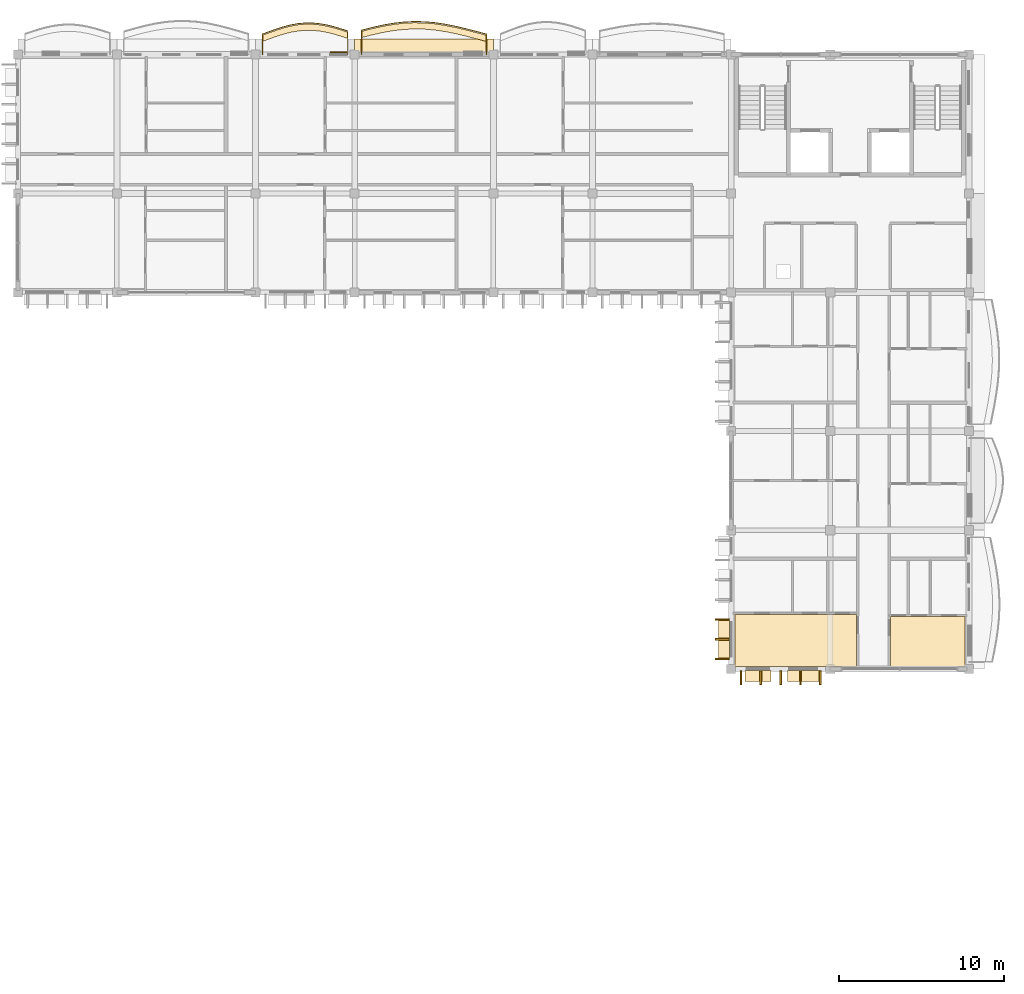
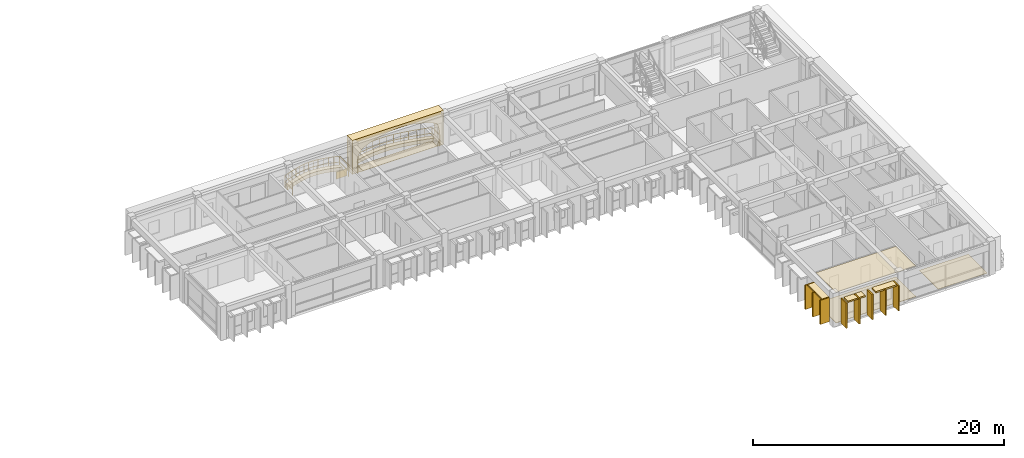
# One storey, part 27 of 31: 18 coverings, 2 railings.
"""IFC4 building model written with IfcOpenShell, lengths in metres."""

import ifcopenshell
import ifcopenshell.guid

model = None  # the IFC model being written
_history = None  # IfcOwnerHistory: only IFC2X3 demands one
_inside = {}  # id of a spatial element -> (the spatial element, [elements in it])
_under = {}  # id of a project, library or spatial element -> (it, [spatial elements below it])
_declared = {}  # id of a project -> (the project, [libraries it declares])
_typed = {}  # id of a type object -> (the type object, [elements of that type])
_made_of = {}  # id of a material, layer set ... -> (it, [elements and type objects made of it])


def new_model(schema):
    """Start an empty IFC model of exactly this schema.

    Asked for "IFC4X3", IfcOpenShell would pick the latest addendum, in which some entities
    have other attributes; the version numbers below select the first issue.
    IFC2X3 requires an IfcOwnerHistory on every rooted entity: one is made here for all.
    """
    global model, _history
    if schema == "IFC4X3":
        model = ifcopenshell.file(schema_version=(4, 3, 0, 0))
    else:
        model = ifcopenshell.file(schema=schema)
    _inside.clear()
    _under.clear()
    _declared.clear()
    _typed.clear()
    _made_of.clear()
    _history = None
    if model.schema == "IFC2X3":
        org = make("IfcOrganization", Name="unknown")
        user = make(
            "IfcPersonAndOrganization",
            ThePerson=make("IfcPerson", FamilyName="unknown"),
            TheOrganization=org,
        )
        app = make(
            "IfcApplication",
            ApplicationDeveloper=org,
            Version="unknown",
            ApplicationFullName="unknown",
            ApplicationIdentifier="unknown",
        )
        _history = make(
            "IfcOwnerHistory",
            OwningUser=user,
            OwningApplication=app,
            ChangeAction="ADDED",
            CreationDate=0,
        )
    return model


def make(cls, **values):
    """One entity of the class cls with the attributes given. An attribute that is None is left unset."""
    return model.create_entity(
        cls, **{name: value for name, value in values.items() if value is not None}
    )


def rooted(cls, **values):
    """An entity with a GlobalId (a new one), such as an element, a storey or a relation."""
    return make(cls, GlobalId=ifcopenshell.guid.new(), OwnerHistory=_history, **values)


def si_unit(unit_type, name, prefix=None):
    """IfcSIUnit, for example si_unit("LENGTHUNIT", "METRE", prefix="MILLI")."""
    return make("IfcSIUnit", UnitType=unit_type, Prefix=prefix, Name=name)


def assignment(units):
    """IfcUnitAssignment: the units of a project."""
    return None if units is None else make("IfcUnitAssignment", Units=units)


def point(xyz):
    """IfcCartesianPoint."""
    return None if xyz is None else make("IfcCartesianPoint", Coordinates=xyz)


def direction(xyz):
    """IfcDirection."""
    return None if xyz is None else make("IfcDirection", DirectionRatios=xyz)


def frame(location, z_axis=None, x_axis=None):
    """IfcAxis2Placement3D, a coordinate frame: its origin and axes. An axis left out is left unset."""
    return make(
        "IfcAxis2Placement3D",
        Location=point(location),
        Axis=direction(z_axis),
        RefDirection=direction(x_axis),
    )


def frame_2d(location, x_axis=None):
    """IfcAxis2Placement2D, a coordinate frame in the plane: its origin and x axis."""
    return make(
        "IfcAxis2Placement2D", Location=point(location), RefDirection=direction(x_axis)
    )


def origin():
    """The frame at (0, 0, 0) with its axes left unset."""
    return frame((0.0, 0.0, 0.0))


def origin_2d():
    """The frame at (0, 0) in the plane with its x axis left unset."""
    return frame_2d((0.0, 0.0))


def place(relative_to, where):
    """IfcLocalPlacement: puts the frame where relative to a parent placement (None: the world)."""
    return make(
        "IfcLocalPlacement", PlacementRelTo=relative_to, RelativePlacement=where
    )


def context(
    kind, dimensions, precision=None, world=None, true_north=None, identifier=None
):
    """IfcGeometricRepresentationContext, for example the 3D "Model" context."""
    return make(
        "IfcGeometricRepresentationContext",
        ContextIdentifier=identifier,
        ContextType=kind,
        CoordinateSpaceDimension=dimensions,
        Precision=precision,
        WorldCoordinateSystem=world,
        TrueNorth=true_north,
    )


def subcontext(parent, identifier, kind, view, scale=None):
    """IfcGeometricRepresentationSubContext, for example "Body" below "Model"."""
    return make(
        "IfcGeometricRepresentationSubContext",
        ContextIdentifier=identifier,
        ContextType=kind,
        ParentContext=parent,
        TargetScale=scale,
        TargetView=view,
    )


def project(units=None, contexts=None):
    """IfcProject with its units and contexts."""
    return rooted(
        "IfcProject",
        Name="project",
        RepresentationContexts=contexts,
        UnitsInContext=assignment(units),
    )


def spatial(cls, under=None, at=None, **own):
    """A site, building, storey or space (cls), placed at a placement, below another one or the project."""
    s = rooted(cls, ObjectPlacement=at, **own)
    if under is not None:
        _under.setdefault(under.id(), (under, []))[1].append(s)
    return s


def polyline(points):
    """IfcPolyline through the points."""
    return make("IfcPolyline", Points=[point(p) for p in points])


def profile(cls, at=None, kind="AREA", **sizes):
    """A parametric profile (cls). Its sizes go by their IFC names, for example OverallWidth=200.0."""
    return make(cls, ProfileType=kind, Position=at, **sizes)


def rectangle(**sizes):
    """IfcRectangleProfileDef."""
    return profile("IfcRectangleProfileDef", **sizes)


def outline(outer, holes=None, kind="AREA"):
    """IfcArbitraryClosedProfileDef: a profile drawn as a closed curve; with holes, ...WithVoids."""
    if holes is None:
        return make("IfcArbitraryClosedProfileDef", ProfileType=kind, OuterCurve=outer)
    return make(
        "IfcArbitraryProfileDefWithVoids",
        ProfileType=kind,
        OuterCurve=outer,
        InnerCurves=holes,
    )


def extrude(swept, where, along, depth):
    """IfcExtrudedAreaSolid: the profile swept, set in the frame where, extruded along a direction by depth."""
    return make(
        "IfcExtrudedAreaSolid",
        SweptArea=swept,
        Position=where,
        ExtrudedDirection=direction(along),
        Depth=depth,
    )


def shape(context_of_items, identifier, shape_type, items):
    """IfcShapeRepresentation: the items that make up one representation, for example the "Body"."""
    return make(
        "IfcShapeRepresentation",
        ContextOfItems=context_of_items,
        RepresentationIdentifier=identifier,
        RepresentationType=shape_type,
        Items=items,
    )


def material(Name=None, Category=None):
    """IfcMaterial."""
    return make("IfcMaterial", Name=Name, Category=Category)


def layer(
    of_material, thickness, ventilated=None, Name=None, Category=None, Priority=None
):
    """IfcMaterialLayer: one layer of a wall or slab, of a material (None: an air gap)."""
    return make(
        "IfcMaterialLayer",
        Material=of_material,
        LayerThickness=thickness,
        IsVentilated=ventilated,
        Name=Name,
        Category=Category,
        Priority=Priority,
    )


def layer_set(layers, Name=None):
    """IfcMaterialLayerSet."""
    return make("IfcMaterialLayerSet", MaterialLayers=layers, LayerSetName=Name)


def made_of(thing, what):
    """Note that an element or type object is made of a material, layer set ...; save() writes the relation."""
    if what is not None:
        _made_of.setdefault(what.id(), (what, []))[1].append(thing)
    return thing


def type_object(cls, material=None, **own):
    """A type object (cls), such as IfcWallType, which elements share."""
    return made_of(rooted(cls, **own), material)


def element(
    cls,
    number,
    at=None,
    inside=None,
    cuts=None,
    type_object=None,
    material=None,
    context=None,
    identifier="Body",
    shape_type=None,
    held_by="IfcProductDefinitionShape",
    body=None,
    shapes=None,
    **own,
):
    """One element of the class cls, such as IfcWall. Its Tag is "e" and its number.

    at: its placement. inside: the storey or other place that contains it. cuts: it is an
    opening in that element (IfcRelVoidsElement). A single representation is given by context,
    identifier, shape_type and body (its items); several are given by shapes. held_by: the class
    of the entity that holds the representations. save() writes the other relations.
    """
    e = rooted(cls, Tag="e%d" % number, ObjectPlacement=at, **own)
    if body is not None:
        shapes = [shape(context, identifier, shape_type, body)]
    if shapes is not None:
        e.Representation = make(held_by, Representations=shapes)
    if inside is not None:
        _inside.setdefault(inside.id(), (inside, []))[1].append(e)
    if cuts is not None:
        rooted(
            "IfcRelVoidsElement", RelatingBuildingElement=cuts, RelatedOpeningElement=e
        )
    if type_object is not None:
        _typed.setdefault(type_object.id(), (type_object, []))[1].append(e)
    return made_of(e, material)


def aggregate(whole, parts):
    """IfcRelAggregates: a whole, such as a stair, and the parts it consists of."""
    return rooted("IfcRelAggregates", RelatingObject=whole, RelatedObjects=parts)


def save(model, path):
    """Write the relations noted so far, then the file.

    IfcRelAggregates (storeys below a building ...), IfcRelContainedInSpatialStructure (elements
    in a storey), IfcRelDefinesByType, IfcRelAssociatesMaterial and IfcRelDeclares: one each for
    every whole, place, type object, material and project.
    """
    for whole, parts in _under.values():
        aggregate(whole, parts)
    for where, things in _inside.values():
        rooted(
            "IfcRelContainedInSpatialStructure",
            RelatedElements=things,
            RelatingStructure=where,
        )
    for kind, things in _typed.values():
        rooted("IfcRelDefinesByType", RelatedObjects=things, RelatingType=kind)
    for what, things in _made_of.values():
        rooted("IfcRelAssociatesMaterial", RelatedObjects=things, RelatingMaterial=what)
    for by, libraries in _declared.values():
        rooted("IfcRelDeclares", RelatingContext=by, RelatedDefinitions=libraries)
    model.write(path)


model = new_model("IFC4")

# Units and contexts
model_context = context("Model", 3, precision=1e-05, world=origin(), true_north=direction((0.0, 1.0)))
body_context = subcontext(model_context, "Body", "Model", "MODEL_VIEW")
ifc_project = project(units=[si_unit("LENGTHUNIT", "METRE"), si_unit("AREAUNIT", "SQUARE_METRE"), si_unit("VOLUMEUNIT", "CUBIC_METRE"), si_unit("PLANEANGLEUNIT", "RADIAN"), si_unit("MASSUNIT", "GRAM", prefix="KILO"), si_unit("THERMODYNAMICTEMPERATUREUNIT", "KELVIN")], contexts=[model_context])

# Site, building, storey
site_placement = place(None, origin())
site = spatial("IfcSite", under=ifc_project, at=site_placement, CompositionType="ELEMENT")
building_placement = place(site_placement, origin())
building = spatial("IfcBuilding", under=site, at=building_placement, Name="Thalorik Housing Commons", CompositionType="ELEMENT")
storey_placement = place(building_placement, frame((0.0, 0.0, 37.800048828125)))
storey = spatial("IfcBuildingStorey", under=building, at=storey_placement, Name="L11", CompositionType="ELEMENT", Elevation=37.800048828125)

# Coverings
ifc_material_1 = material(Name="Precast concrete C40/50", Category="concrete")
ifc_layer_1 = layer(ifc_material_1, 0.85009765625, Name="Precast concrete C40/50", Category="concrete")
ifc_layer_set_1 = layer_set([ifc_layer_1], Name="Precast concrete C40/50")
covering_type_1 = type_object("IfcCoveringType", Name="ARC-CLD-CUSH-850", PredefinedType="CLADDING", material=ifc_layer_set_1)
covering_1_placement = place(storey_placement, frame((133.800048828125, 124.132568359375, 0.0), z_axis=(0.0, 0.0, 1.0), x_axis=(-1.0, 0.0, 0.0)))
element("IfcCovering", 1, at=covering_1_placement, inside=storey, type_object=covering_type_1, Name="L11 White Precast Curved Cushion Bay Frame 3174", PredefinedType="CLADDING", context=body_context, shape_type="SweptSolid", body=[
    extrude(outline(polyline([(-4.199951171875, 0.0), (4.199951171875, 0.0), (4.199951171875, 3.300048828125), (-4.199951171875, 3.300048828125), (-4.199951171875, 0.0)]), holes=[polyline([(3.239990234375, 0.02490234375), (3.523193359375, 0.394287109375), (3.693359375, 0.76318359375), (3.75, 1.132568359375), (3.693359375, 1.501708984375), (3.523193359375, 1.870849609375), (3.239990234375, 2.239990234375), (2.6708984375, 2.4833984375), (2.101806640625, 2.6748046875), (1.532470703125, 2.82958984375), (0.96337890625, 2.94482421875), (0.394287109375, 3.01611328125), (-0.175048828125, 3.0400390625), (-0.744140625, 3.01611328125), (-1.313232421875, 2.94482421875), (-1.882568359375, 2.82958984375), (-2.45166015625, 2.6748046875), (-3.020751953125, 2.4833984375), (-3.590087890625, 2.239990234375), (-3.71875, 1.870849609375), (-3.7958984375, 1.501708984375), (-3.82177734375, 1.132568359375), (-3.7958984375, 0.76318359375), (-3.71875, 0.394287109375), (-3.590087890625, 0.02490234375), (3.239990234375, 0.02490234375)])]), frame((0.0, 0.425048828125, 0.0), z_axis=(0.0, -1.0, 0.0), x_axis=(1.0, 0.0, 0.0)), (0.0, 0.0, 1.0), 0.85009765625),
])
ifc_layer_2 = layer(ifc_material_1, 0.85009765625, Name="Precast concrete C40/50", Category="concrete")
ifc_layer_set_2 = layer_set([ifc_layer_2], Name="Precast concrete C40/50")
covering_type_2 = type_object("IfcCoveringType", Name="ARC-CLD-FIN-850", PredefinedType="CLADDING", material=ifc_layer_set_2)
for number, where, z_axis, x_axis, name in (
    (2, (151.867431640625, 89.39990234375, 0.0400390625), (0.0, 0.0, 1.0), (0.0, -1.0, 0.0), "L11 Courtyard Precast Vertical Brise-Soleil Fin 3247"),
    (3, (151.867431640625, 88.199951171875, 0.0400390625), (0.0, 0.0, 1.0), (0.0, -1.0, 0.0), "L11 Courtyard Precast Vertical Brise-Soleil Fin 3248"),
    (4, (151.867431640625, 87.0, 0.0400390625), (0.0, 0.0, 1.0), (0.0, -1.0, 0.0), "L11 Courtyard Precast Vertical Brise-Soleil Fin 3249"),
):
    element("IfcCovering", number, at=place(storey_placement, frame(where, z_axis=z_axis, x_axis=x_axis)), inside=storey, type_object=covering_type_2, Name=name, PredefinedType="CLADDING", context=body_context, shape_type="SweptSolid", body=[
        extrude(rectangle(XDim=0.110107421875, YDim=0.85009765625, at=origin_2d()), origin(), (0.0, 0.0, 1.0), 2.344970703125),
    ])
for number, where, z_axis, x_axis, name in (
    (5, (153.0, 85.867431640625, 0.0400390625), (0.0, 0.0, 1.0), (1.0, 0.0, 0.0), "L11 Courtyard Precast Vertical Brise-Soleil Fin 3253"),
    (6, (154.199951171875, 85.867431640625, 0.0400390625), (0.0, 0.0, 1.0), (1.0, 0.0, 0.0), "L11 Courtyard Precast Vertical Brise-Soleil Fin 3254"),
    (7, (155.39990234375, 85.867431640625, 0.0400390625), (0.0, 0.0, 1.0), (1.0, 0.0, 0.0), "L11 Courtyard Precast Vertical Brise-Soleil Fin 3255"),
    (8, (156.60009765625, 85.867431640625, 0.0400390625), (0.0, 0.0, 1.0), (1.0, 0.0, 0.0), "L11 Courtyard Precast Vertical Brise-Soleil Fin 3256"),
    (9, (157.800048828125, 85.867431640625, 0.0400390625), (0.0, 0.0, 1.0), (1.0, 0.0, 0.0), "L11 Courtyard Precast Vertical Brise-Soleil Fin 3257"),
):
    element("IfcCovering", number, at=place(storey_placement, frame(where, z_axis=z_axis, x_axis=x_axis)), inside=storey, type_object=covering_type_2, Name=name, PredefinedType="CLADDING", context=body_context, shape_type="SweptSolid", body=[
        extrude(rectangle(XDim=0.110107421875, YDim=0.85009765625, at=origin_2d()), origin(), (0.0, 0.0, 1.0), 2.445068359375),
    ])
ifc_layer_3 = layer(ifc_material_1, 0.64990234375, Name="Precast concrete C40/50", Category="concrete")
ifc_layer_set_3 = layer_set([ifc_layer_3], Name="Precast concrete C40/50")
covering_type_3 = type_object("IfcCoveringType", Name="ARC-CLD-HOOD-650", PredefinedType="CLADDING", material=ifc_layer_set_3)
covering_2_placement = place(storey_placement, frame((151.967529296875, 88.179931640625, 2.27490234375), z_axis=(0.0, 0.0, 1.0), x_axis=(0.0, -1.0, 0.0)))
element("IfcCovering", 10, at=covering_2_placement, inside=storey, type_object=covering_type_3, Name="L11 Courtyard Precast Window Sun-Hood 3252", PredefinedType="CLADDING", context=body_context, shape_type="SweptSolid", body=[
    extrude(rectangle(XDim=2.320068359375, YDim=0.64990234375, at=origin_2d()), origin(), (0.0, 0.0, 1.0), 0.139892578125),
])
covering_3_placement = place(storey_placement, frame((154.030029296875, 85.967529296875, 2.33984375), z_axis=(0.0, 0.0, 1.0), x_axis=(1.0, 0.0, 0.0)))
element("IfcCovering", 11, at=covering_3_placement, inside=storey, type_object=covering_type_3, Name="L11 Courtyard Precast Window Sun-Hood 3258", PredefinedType="CLADDING", context=body_context, shape_type="SweptSolid", body=[
    extrude(rectangle(XDim=1.590087890625, YDim=0.64990234375, at=origin_2d()), origin(), (0.0, 0.0, 1.0), 0.139892578125),
])
covering_4_placement = place(storey_placement, frame((156.77001953125, 85.967529296875, 2.375), z_axis=(0.0, 0.0, 1.0), x_axis=(1.0, 0.0, 0.0)))
element("IfcCovering", 12, at=covering_4_placement, inside=storey, type_object=covering_type_3, Name="L11 Courtyard Precast Window Sun-Hood 3259", PredefinedType="CLADDING", context=body_context, shape_type="SweptSolid", body=[
    extrude(rectangle(XDim=1.93994140625, YDim=0.64990234375, at=origin_2d()), origin(), (0.0, 0.0, 1.0), 0.139892578125),
])
ifc_material_2 = material(Name="Mineral ochre architectural terracotta panel", Category="masonry")
ifc_layer_4 = layer(ifc_material_2, 0.06494140625, Name="Mineral ochre architectural terracotta panel", Category="masonry")
ifc_layer_set_4 = layer_set([ifc_layer_4], Name="Mineral ochre architectural terracotta panel")
covering_type_4 = type_object("IfcCoveringType", Name="ARC-CLD-YEL-65", PredefinedType="CLADDING", material=ifc_layer_set_4)
covering_5_placement = place(storey_placement, frame((128.6103515625, 123.7451171875, 0.0498046875), z_axis=(0.0, 0.0, 1.0), x_axis=(-1.0, 0.0, 0.0)))
element("IfcCovering", 13, at=covering_5_placement, inside=storey, type_object=covering_type_4, Name="L11 De Stijl Recessed Window Spandrel 3177", PredefinedType="CLADDING", context=body_context, shape_type="SweptSolid", body=[
    extrude(rectangle(XDim=1.0, YDim=0.06494140625, at=origin_2d()), origin(), (0.0, 0.0, 1.0), 0.699951171875),
])
ifc_material_3 = material(Name="Acoustic wood-wool nursery ceiling panel", Category="wood")
ifc_layer_5 = layer(ifc_material_3, 0.035888671875, Name="Acoustic wood-wool nursery ceiling panel", Category="wood")
ifc_layer_set_5 = layer_set([ifc_layer_5], Name="Acoustic wood-wool nursery ceiling panel")
covering_type_5 = type_object("IfcCoveringType", Name="ARC-COV-CEIL-06", PredefinedType="CEILING", material=ifc_layer_set_5)
covering_6_placement = place(storey_placement, frame((0.0, 0.0, 2.9638671875)))
element("IfcCovering", 14, at=covering_6_placement, inside=storey, type_object=covering_type_5, Name="L11 Family Lounge Suspended Ceiling", PredefinedType="CEILING", context=body_context, shape_type="SweptSolid", body=[
    extrude(outline(polyline([(160.0, 89.699951171875), (152.639892578125, 89.699951171875), (152.639892578125, 86.5400390625), (160.0, 86.5400390625), (160.0, 89.699951171875)])), origin(), (0.0, 0.0, 1.0), 0.0361328125),
])
ifc_material_4 = material(Name="Glazed Recife ceramic apartment floor tile")
ifc_layer_6 = layer(ifc_material_4, 0.011962890625, Name="Glazed Recife ceramic apartment floor tile")
ifc_layer_set_6 = layer_set([ifc_layer_6], Name="Glazed Recife ceramic apartment floor tile")
covering_type_6 = type_object("IfcCoveringType", Name="ARC-COV-FLR-01", PredefinedType="FLOORING", material=ifc_layer_set_6)
covering_7_placement = place(storey_placement, origin())
element("IfcCovering", 15, at=covering_7_placement, inside=storey, type_object=covering_type_6, Name="L11 Sunlit Wintergarden Lounge Flooring", PredefinedType="FLOORING", context=body_context, shape_type="SweptSolid", body=[
    extrude(outline(polyline([(166.56005859375, 89.567626953125), (162.06005859375, 89.567626953125), (162.06005859375, 86.5400390625), (166.56005859375, 86.5400390625), (166.56005859375, 89.567626953125)])), origin(), (0.0, 0.0, 1.0), 0.011962890625),
])
ifc_material_5 = material(Name="Epoxy-sealed concrete plant and bicycle hub finish", Category="concrete")
ifc_layer_7 = layer(ifc_material_5, 0.031982421875, Name="Epoxy-sealed concrete plant and bicycle hub finish", Category="concrete")
ifc_layer_set_7 = layer_set([ifc_layer_7], Name="Epoxy-sealed concrete plant and bicycle hub finish")
covering_type_7 = type_object("IfcCoveringType", Name="ARC-COV-FLR-06", PredefinedType="FLOORING", material=ifc_layer_set_7)
covering_8_placement = place(storey_placement, origin())
element("IfcCovering", 16, at=covering_8_placement, inside=storey, type_object=covering_type_7, Name="L11 Family Lounge Flooring", PredefinedType="FLOORING", context=body_context, shape_type="SweptSolid", body=[
    extrude(outline(polyline([(160.0, 89.699951171875), (152.639892578125, 89.699951171875), (152.639892578125, 86.5400390625), (160.0, 86.5400390625), (160.0, 89.699951171875)])), origin(), (0.0, 0.0, 1.0), 0.031982421875),
])
ifc_material_6 = material(Name="Planted vegetated substrate and terracotta trough", Category="masonry")
ifc_layer_8 = layer(ifc_material_6, 0.340087890625, Name="Planted vegetated substrate and terracotta trough", Category="masonry")
ifc_layer_set_8 = layer_set([ifc_layer_8], Name="Planted vegetated substrate and terracotta trough")
covering_type_8 = type_object("IfcCoveringType", Name="ARC-COV-PLANTER", PredefinedType="USERDEFINED", material=ifc_layer_set_8)
covering_9_placement = place(storey_placement, origin())
element("IfcCovering", 17, at=covering_9_placement, inside=storey, type_object=covering_type_8, Name="L11 Balcony Slab-Edge Planted Trough 5551", ObjectType="PLANTER", PredefinedType="USERDEFINED", context=body_context, shape_type="SweptSolid", body=[
    extrude(outline(polyline([(129.179931640625, 124.96630859375), (128.75, 125.105224609375), (128.320068359375, 125.231689453125), (127.889892578125, 125.33642578125), (127.4599609375, 125.411376953125), (127.030029296875, 125.450927734375), (126.60009765625, 125.451416015625), (126.169921875, 125.41259765625), (125.739990234375, 125.3359375), (125.31005859375, 125.226318359375), (124.8798828125, 125.09130859375), (124.449951171875, 124.939208984375), (124.02001953125, 124.780517578125), (124.02001953125, 124.400390625), (124.449951171875, 124.55908203125), (124.8798828125, 124.711181640625), (125.31005859375, 124.846435546875), (125.739990234375, 124.955810546875), (126.169921875, 125.032470703125), (126.60009765625, 125.071533203125), (127.030029296875, 125.07080078125), (127.4599609375, 125.031494140625), (127.889892578125, 124.956298828125), (128.320068359375, 124.851806640625), (128.75, 124.725341796875), (129.179931640625, 124.58642578125), (129.179931640625, 124.96630859375)])), origin(), (0.0, 0.0, 1.0), 0.33984375),
])
covering_10_placement = place(storey_placement, origin())
element("IfcCovering", 18, at=covering_10_placement, inside=storey, type_object=covering_type_8, Name="L11 Balcony Slab-Edge Planted Trough 5552", ObjectType="PLANTER", PredefinedType="USERDEFINED", context=body_context, shape_type="SweptSolid", body=[
    extrude(outline(polyline([(137.580078125, 124.7802734375), (136.949951171875, 124.944580078125), (136.320068359375, 125.10693359375), (135.68994140625, 125.255615234375), (135.06005859375, 125.380615234375), (134.429931640625, 125.47314453125), (133.800048828125, 125.526611328125), (133.169921875, 125.537109375), (132.5400390625, 125.50390625), (131.909912109375, 125.428955078125), (131.280029296875, 125.317138671875), (130.64990234375, 125.176025390625), (130.02001953125, 125.015380859375), (130.02001953125, 124.635498046875), (130.64990234375, 124.796142578125), (131.280029296875, 124.937255859375), (131.909912109375, 125.048828125), (132.5400390625, 125.123779296875), (133.169921875, 125.156982421875), (133.800048828125, 125.146484375), (134.429931640625, 125.093017578125), (135.06005859375, 125.00048828125), (135.68994140625, 124.875732421875), (136.320068359375, 124.726806640625), (136.949951171875, 124.564697265625), (137.580078125, 124.400146484375), (137.580078125, 124.7802734375)])), origin(), (0.0, 0.0, 1.0), 0.33984375),
])

# Railings
ifc_material_7 = material(Name="Steel S355", Category="steel")
railing_type_1 = type_object("IfcRailingType", Name="ARC-RL-BAL-112", PredefinedType="BALUSTRADE", material=ifc_material_7)
railing_1_placement = place(storey_placement, frame((137.580078125, 123.60009765625, 0.0)))
element("IfcRailing", 19, at=railing_1_placement, inside=storey, type_object=railing_type_1, Name="L11 Cushion Balcony Guardrail 236", PredefinedType="BALUSTRADE", context=body_context, shape_type="SweptSolid", body=[
    extrude(rectangle(XDim=0.050048828125, YDim=0.050048828125, at=origin_2d()), frame((0.0, 0.0, 1.09521484375), z_axis=(0.0, 1.0, 0.0), x_axis=(-1.0, 0.0, 0.0)), (0.0, 0.0, 1.0), 1.25),
    extrude(rectangle(XDim=0.050048828125, YDim=0.050048828125, at=origin_2d()), frame((0.0, 0.0, 0.53515625), z_axis=(0.0, 1.0, 0.0), x_axis=(-1.0, 0.0, 0.0)), (0.0, 0.0, 1.0), 1.25),
    extrude(rectangle(XDim=0.050048828125, YDim=0.050048828125, at=origin_2d()), frame((0.0, 1.25, 1.09521484375), z_axis=(-0.967553545938, 0.252666055778, 0.0), x_axis=(-0.252666055778, -0.967553545938, 0.0)), (0.0, 0.0, 1.0), 0.6513671875),
    extrude(rectangle(XDim=0.050048828125, YDim=0.050048828125, at=origin_2d()), frame((0.0, 1.25, 0.53515625), z_axis=(-0.967553545938, 0.252666055778, 0.0), x_axis=(-0.252666055778, -0.967553545938, 0.0)), (0.0, 0.0, 1.0), 0.6513671875),
    extrude(rectangle(XDim=0.050048828125, YDim=0.050048828125, at=origin_2d()), frame((-0.630126953125, 1.41455078125, 1.09521484375), z_axis=(-0.968350517178, 0.249594222451, 0.0), x_axis=(-0.249594222451, -0.968350517178, 0.0)), (0.0, 0.0, 1.0), 0.650390625),
    extrude(rectangle(XDim=0.050048828125, YDim=0.050048828125, at=origin_2d()), frame((-0.630126953125, 1.41455078125, 0.53515625), z_axis=(-0.968350517178, 0.249594222451, 0.0), x_axis=(-0.249594222451, -0.968350517178, 0.0)), (0.0, 0.0, 1.0), 0.650390625),
    extrude(rectangle(XDim=0.050048828125, YDim=0.050048828125, at=origin_2d()), frame((-1.260009765625, 1.576904296875, 1.09521484375), z_axis=(-0.973273559033, 0.2296488173, 0.0), x_axis=(-0.2296488173, -0.973273559033, 0.0)), (0.0, 0.0, 1.0), 0.6474609375),
    extrude(rectangle(XDim=0.050048828125, YDim=0.050048828125, at=origin_2d()), frame((-1.260009765625, 1.576904296875, 0.53515625), z_axis=(-0.973273559033, 0.2296488173, 0.0), x_axis=(-0.2296488173, -0.973273559033, 0.0)), (0.0, 0.0, 1.0), 0.6474609375),
    extrude(rectangle(XDim=0.050048828125, YDim=0.050048828125, at=origin_2d()), frame((-1.89013671875, 1.7255859375, 1.09521484375), z_axis=(-0.980872033872, 0.194653674939, 0.0), x_axis=(-0.194653674939, -0.980872033872, 0.0)), (0.0, 0.0, 1.0), 0.64208984375),
    extrude(rectangle(XDim=0.050048828125, YDim=0.050048828125, at=origin_2d()), frame((-1.89013671875, 1.7255859375, 0.53515625), z_axis=(-0.980872033872, 0.194653674939, 0.0), x_axis=(-0.194653674939, -0.980872033872, 0.0)), (0.0, 0.0, 1.0), 0.64208984375),
    extrude(rectangle(XDim=0.050048828125, YDim=0.050048828125, at=origin_2d()), frame((-2.52001953125, 1.8505859375, 1.09521484375), z_axis=(-0.989389948801, 0.145284304764, 0.0), x_axis=(-0.145284304764, -0.989389948801, 0.0)), (0.0, 0.0, 1.0), 0.636962890625),
    extrude(rectangle(XDim=0.050048828125, YDim=0.050048828125, at=origin_2d()), frame((-2.52001953125, 1.8505859375, 0.53515625), z_axis=(-0.989389948801, 0.145284304764, 0.0), x_axis=(-0.145284304764, -0.989389948801, 0.0)), (0.0, 0.0, 1.0), 0.636962890625),
    extrude(rectangle(XDim=0.050048828125, YDim=0.050048828125, at=origin_2d()), frame((-3.150146484375, 1.943115234375, 1.09521484375), z_axis=(-0.99644920467, 0.084196095588, 0.0), x_axis=(-0.084196095588, -0.99644920467, 0.0)), (0.0, 0.0, 1.0), 0.632080078125),
    extrude(rectangle(XDim=0.050048828125, YDim=0.050048828125, at=origin_2d()), frame((-3.150146484375, 1.943115234375, 0.53515625), z_axis=(-0.99644920467, 0.084196095588, 0.0), x_axis=(-0.084196095588, -0.99644920467, 0.0)), (0.0, 0.0, 1.0), 0.632080078125),
    extrude(rectangle(XDim=0.050048828125, YDim=0.050048828125, at=origin_2d()), frame((-3.780029296875, 1.996337890625, 1.09521484375), z_axis=(-0.999854720379, 0.01704517927, 0.0), x_axis=(-0.01704517927, -0.999854720379, 0.0)), (0.0, 0.0, 1.0), 0.630126953125),
    extrude(rectangle(XDim=0.050048828125, YDim=0.050048828125, at=origin_2d()), frame((-3.780029296875, 1.996337890625, 0.53515625), z_axis=(-0.999854720379, 0.01704517927, 0.0), x_axis=(-0.01704517927, -0.999854720379, 0.0)), (0.0, 0.0, 1.0), 0.630126953125),
    extrude(rectangle(XDim=0.050048828125, YDim=0.050048828125, at=origin_2d()), frame((-4.41015625, 2.007080078125, 1.09521484375), z_axis=(-0.998613549126, -0.052640094062, 0.0), x_axis=(0.052640094062, -0.998613549126, 0.0)), (0.0, 0.0, 1.0), 0.630859375),
    extrude(rectangle(XDim=0.050048828125, YDim=0.050048828125, at=origin_2d()), frame((-4.41015625, 2.007080078125, 0.53515625), z_axis=(-0.998613549126, -0.052640094062, 0.0), x_axis=(0.052640094062, -0.998613549126, 0.0)), (0.0, 0.0, 1.0), 0.630859375),
    extrude(rectangle(XDim=0.050048828125, YDim=0.050048828125, at=origin_2d()), frame((-5.0400390625, 1.973876953125, 1.09521484375), z_axis=(-0.992954902606, -0.118492874856, 0.0), x_axis=(0.118492874856, -0.992954902606, 0.0)), (0.0, 0.0, 1.0), 0.634521484375),
    extrude(rectangle(XDim=0.050048828125, YDim=0.050048828125, at=origin_2d()), frame((-5.0400390625, 1.973876953125, 0.53515625), z_axis=(-0.992954902606, -0.118492874856, 0.0), x_axis=(0.118492874856, -0.992954902606, 0.0)), (0.0, 0.0, 1.0), 0.634521484375),
    extrude(rectangle(XDim=0.050048828125, YDim=0.050048828125, at=origin_2d()), frame((-5.670166015625, 1.898681640625, 1.09521484375), z_axis=(-0.984671933408, -0.174416695181, 0.0), x_axis=(0.174416695181, -0.984671933408, 0.0)), (0.0, 0.0, 1.0), 0.6396484375),
    extrude(rectangle(XDim=0.050048828125, YDim=0.050048828125, at=origin_2d()), frame((-5.670166015625, 1.898681640625, 0.53515625), z_axis=(-0.984671933408, -0.174416695181, 0.0), x_axis=(0.174416695181, -0.984671933408, 0.0)), (0.0, 0.0, 1.0), 0.6396484375),
    extrude(rectangle(XDim=0.050048828125, YDim=0.050048828125, at=origin_2d()), frame((-6.300048828125, 1.787109375, 1.09521484375), z_axis=(-0.975829904867, -0.218531454868, 0.0), x_axis=(0.218531454868, -0.975829904867, 0.0)), (0.0, 0.0, 1.0), 0.645751953125),
    extrude(rectangle(XDim=0.050048828125, YDim=0.050048828125, at=origin_2d()), frame((-6.300048828125, 1.787109375, 0.53515625), z_axis=(-0.975829904867, -0.218531454868, 0.0), x_axis=(0.218531454868, -0.975829904867, 0.0)), (0.0, 0.0, 1.0), 0.645751953125),
    extrude(rectangle(XDim=0.050048828125, YDim=0.050048828125, at=origin_2d()), frame((-6.93017578125, 1.64599609375, 1.09521484375), z_axis=(-0.968982800082, -0.247128171494, 0.0), x_axis=(0.247128171494, -0.968982800082, 0.0)), (0.0, 0.0, 1.0), 0.650146484375),
    extrude(rectangle(XDim=0.050048828125, YDim=0.050048828125, at=origin_2d()), frame((-6.93017578125, 1.64599609375, 0.53515625), z_axis=(-0.968982800082, -0.247128171494, 0.0), x_axis=(0.247128171494, -0.968982800082, 0.0)), (0.0, 0.0, 1.0), 0.650146484375),
    extrude(rectangle(XDim=0.050048828125, YDim=0.050048828125, at=origin_2d()), frame((-7.56005859375, 1.4853515625, 1.09521484375), z_axis=(0.0, -1.0, 0.0), x_axis=(1.0, 0.0, 0.0)), (0.0, 0.0, 1.0), 1.4853515625),
    extrude(rectangle(XDim=0.050048828125, YDim=0.050048828125, at=origin_2d()), frame((-7.56005859375, 1.4853515625, 0.53515625), z_axis=(0.0, -1.0, 0.0), x_axis=(1.0, 0.0, 0.0)), (0.0, 0.0, 1.0), 1.4853515625),
    extrude(rectangle(XDim=0.0419921875, YDim=0.0419921875, at=origin_2d()), origin(), (0.0, 0.0, 1.0), 1.070068359375),
    extrude(rectangle(XDim=0.0419921875, YDim=0.0419921875, at=origin_2d()), frame((0.0, 1.25, 0.0)), (0.0, 0.0, 1.0), 1.070068359375),
    extrude(rectangle(XDim=0.0419921875, YDim=0.0419921875, at=origin_2d()), frame((-0.630126953125, 1.41455078125, 0.0)), (0.0, 0.0, 1.0), 1.070068359375),
    extrude(rectangle(XDim=0.0419921875, YDim=0.0419921875, at=origin_2d()), frame((-1.260009765625, 1.576904296875, 0.0)), (0.0, 0.0, 1.0), 1.070068359375),
    extrude(rectangle(XDim=0.0419921875, YDim=0.0419921875, at=origin_2d()), frame((-1.89013671875, 1.7255859375, 0.0)), (0.0, 0.0, 1.0), 1.070068359375),
    extrude(rectangle(XDim=0.0419921875, YDim=0.0419921875, at=origin_2d()), frame((-2.52001953125, 1.8505859375, 0.0)), (0.0, 0.0, 1.0), 1.070068359375),
    extrude(rectangle(XDim=0.0419921875, YDim=0.0419921875, at=origin_2d()), frame((-3.150146484375, 1.943115234375, 0.0)), (0.0, 0.0, 1.0), 1.070068359375),
    extrude(rectangle(XDim=0.0419921875, YDim=0.0419921875, at=origin_2d()), frame((-3.780029296875, 1.996337890625, 0.0)), (0.0, 0.0, 1.0), 1.070068359375),
    extrude(rectangle(XDim=0.0419921875, YDim=0.0419921875, at=origin_2d()), frame((-4.41015625, 2.007080078125, 0.0)), (0.0, 0.0, 1.0), 1.070068359375),
    extrude(rectangle(XDim=0.0419921875, YDim=0.0419921875, at=origin_2d()), frame((-5.0400390625, 1.973876953125, 0.0)), (0.0, 0.0, 1.0), 1.070068359375),
    extrude(rectangle(XDim=0.0419921875, YDim=0.0419921875, at=origin_2d()), frame((-5.670166015625, 1.898681640625, 0.0)), (0.0, 0.0, 1.0), 1.070068359375),
    extrude(rectangle(XDim=0.0419921875, YDim=0.0419921875, at=origin_2d()), frame((-6.300048828125, 1.787109375, 0.0)), (0.0, 0.0, 1.0), 1.070068359375),
    extrude(rectangle(XDim=0.0419921875, YDim=0.0419921875, at=origin_2d()), frame((-6.93017578125, 1.64599609375, 0.0)), (0.0, 0.0, 1.0), 1.070068359375),
    extrude(rectangle(XDim=0.0419921875, YDim=0.0419921875, at=origin_2d()), frame((-7.56005859375, 1.4853515625, 0.0)), (0.0, 0.0, 1.0), 1.070068359375),
    extrude(rectangle(XDim=0.0419921875, YDim=0.0419921875, at=origin_2d()), frame((-7.56005859375, 0.0, 0.0)), (0.0, 0.0, 1.0), 1.070068359375),
])
railing_type_2 = type_object("IfcRailingType", Name="ARC-RL-BAL-115", PredefinedType="BALUSTRADE", material=ifc_material_7)
railing_2_placement = place(storey_placement, frame((129.179931640625, 123.60009765625, 0.0)))
element("IfcRailing", 20, at=railing_2_placement, inside=storey, type_object=railing_type_2, Name="L11 Cushion Balcony Guardrail 235", PredefinedType="BALUSTRADE", context=body_context, shape_type="SweptSolid", body=[
    extrude(rectangle(XDim=0.050048828125, YDim=0.050048828125, at=origin_2d()), frame((0.0, 0.0, 1.125), z_axis=(0.0, 1.0, 0.0), x_axis=(-1.0, 0.0, 0.0)), (0.0, 0.0, 1.0), 1.436279296875),
    extrude(rectangle(XDim=0.050048828125, YDim=0.050048828125, at=origin_2d()), frame((0.0, 0.0, 0.5498046875), z_axis=(0.0, 1.0, 0.0), x_axis=(-1.0, 0.0, 0.0)), (0.0, 0.0, 1.0), 1.436279296875),
    extrude(rectangle(XDim=0.050048828125, YDim=0.050048828125, at=origin_2d()), frame((0.0, 1.436279296875, 1.125), z_axis=(-0.951560814665, 0.307460592586, 0.0), x_axis=(-0.307460592586, -0.951560814665, 0.0)), (0.0, 0.0, 1.0), 0.451904296875),
    extrude(rectangle(XDim=0.050048828125, YDim=0.050048828125, at=origin_2d()), frame((0.0, 1.436279296875, 0.5498046875), z_axis=(-0.951560814665, 0.307460592586, 0.0), x_axis=(-0.307460592586, -0.951560814665, 0.0)), (0.0, 0.0, 1.0), 0.451904296875),
    extrude(rectangle(XDim=0.050048828125, YDim=0.050048828125, at=origin_2d()), frame((-0.429931640625, 1.5751953125, 1.125), z_axis=(-0.959356826284, 0.282195818294, 0.0), x_axis=(-0.282195818294, -0.959356826284, 0.0)), (0.0, 0.0, 1.0), 0.4482421875),
    extrude(rectangle(XDim=0.050048828125, YDim=0.050048828125, at=origin_2d()), frame((-0.429931640625, 1.5751953125, 0.5498046875), z_axis=(-0.959356826284, 0.282195818294, 0.0), x_axis=(-0.282195818294, -0.959356826284, 0.0)), (0.0, 0.0, 1.0), 0.4482421875),
    extrude(rectangle(XDim=0.050048828125, YDim=0.050048828125, at=origin_2d()), frame((-0.85986328125, 1.70166015625, 1.125), z_axis=(-0.971616240385, 0.236562637415, 0.0), x_axis=(-0.236562637415, -0.971616240385, 0.0)), (0.0, 0.0, 1.0), 0.442626953125),
    extrude(rectangle(XDim=0.050048828125, YDim=0.050048828125, at=origin_2d()), frame((-0.85986328125, 1.70166015625, 0.5498046875), z_axis=(-0.971616240385, 0.236562637415, 0.0), x_axis=(-0.236562637415, -0.971616240385, 0.0)), (0.0, 0.0, 1.0), 0.442626953125),
    extrude(rectangle(XDim=0.050048828125, YDim=0.050048828125, at=origin_2d()), frame((-1.2900390625, 1.806396484375, 1.125), z_axis=(-0.985141873648, 0.171742507217, 0.0), x_axis=(-0.171742507217, -0.985141873648, 0.0)), (0.0, 0.0, 1.0), 0.4365234375),
    extrude(rectangle(XDim=0.050048828125, YDim=0.050048828125, at=origin_2d()), frame((-1.2900390625, 1.806396484375, 0.5498046875), z_axis=(-0.985141873648, 0.171742507217, 0.0), x_axis=(-0.171742507217, -0.985141873648, 0.0)), (0.0, 0.0, 1.0), 0.4365234375),
    extrude(rectangle(XDim=0.050048828125, YDim=0.050048828125, at=origin_2d()), frame((-1.719970703125, 1.88134765625, 1.125), z_axis=(-0.995795295661, 0.091606381543, 0.0), x_axis=(-0.091606381543, -0.995795295661, 0.0)), (0.0, 0.0, 1.0), 0.431640625),
    extrude(rectangle(XDim=0.050048828125, YDim=0.050048828125, at=origin_2d()), frame((-1.719970703125, 1.88134765625, 0.5498046875), z_axis=(-0.995795295661, 0.091606381543, 0.0), x_axis=(-0.091606381543, -0.995795295661, 0.0)), (0.0, 0.0, 1.0), 0.431640625),
    extrude(rectangle(XDim=0.050048828125, YDim=0.050048828125, at=origin_2d()), frame((-2.14990234375, 1.9208984375, 1.125), z_axis=(-0.999999355073, 0.001135717609, 0.0), x_axis=(-0.001135717609, -0.999999355073, 0.0)), (0.0, 0.0, 1.0), 0.429931640625),
    extrude(rectangle(XDim=0.050048828125, YDim=0.050048828125, at=origin_2d()), frame((-2.14990234375, 1.9208984375, 0.5498046875), z_axis=(-0.999999355073, 0.001135717609, 0.0), x_axis=(-0.001135717609, -0.999999355073, 0.0)), (0.0, 0.0, 1.0), 0.429931640625),
    extrude(rectangle(XDim=0.050048828125, YDim=0.050048828125, at=origin_2d()), frame((-2.579833984375, 1.92138671875, 1.125), z_axis=(-0.995902467013, -0.090433822203, 0.0), x_axis=(0.090433822203, -0.995902467013, 0.0)), (0.0, 0.0, 1.0), 0.431884765625),
    extrude(rectangle(XDim=0.050048828125, YDim=0.050048828125, at=origin_2d()), frame((-2.579833984375, 1.92138671875, 0.5498046875), z_axis=(-0.995902467013, -0.090433822203, 0.0), x_axis=(0.090433822203, -0.995902467013, 0.0)), (0.0, 0.0, 1.0), 0.431884765625),
    extrude(rectangle(XDim=0.050048828125, YDim=0.050048828125, at=origin_2d()), frame((-3.010009765625, 1.88232421875, 1.125), z_axis=(-0.984568930443, -0.174997203423, 0.0), x_axis=(0.174997203423, -0.984568930443, 0.0)), (0.0, 0.0, 1.0), 0.436767578125),
    extrude(rectangle(XDim=0.050048828125, YDim=0.050048828125, at=origin_2d()), frame((-3.010009765625, 1.88232421875, 0.5498046875), z_axis=(-0.984568930443, -0.174997203423, 0.0), x_axis=(0.174997203423, -0.984568930443, 0.0)), (0.0, 0.0, 1.0), 0.436767578125),
    extrude(rectangle(XDim=0.050048828125, YDim=0.050048828125, at=origin_2d()), frame((-3.43994140625, 1.805908203125, 1.125), z_axis=(-0.968999038876, -0.247064490889, 0.0), x_axis=(0.247064490889, -0.968999038876, 0.0)), (0.0, 0.0, 1.0), 0.443603515625),
    extrude(rectangle(XDim=0.050048828125, YDim=0.050048828125, at=origin_2d()), frame((-3.43994140625, 1.805908203125, 0.5498046875), z_axis=(-0.968999038876, -0.247064490889, 0.0), x_axis=(0.247064490889, -0.968999038876, 0.0)), (0.0, 0.0, 1.0), 0.443603515625),
    extrude(rectangle(XDim=0.050048828125, YDim=0.050048828125, at=origin_2d()), frame((-3.869873046875, 1.6962890625, 1.125), z_axis=(-0.953958313689, -0.299939220082, 0.0), x_axis=(0.299939220082, -0.953958313689, 0.0)), (0.0, 0.0, 1.0), 0.450927734375),
    extrude(rectangle(XDim=0.050048828125, YDim=0.050048828125, at=origin_2d()), frame((-3.869873046875, 1.6962890625, 0.5498046875), z_axis=(-0.953958313689, -0.299939220082, 0.0), x_axis=(0.299939220082, -0.953958313689, 0.0)), (0.0, 0.0, 1.0), 0.450927734375),
    extrude(rectangle(XDim=0.050048828125, YDim=0.050048828125, at=origin_2d()), frame((-4.300048828125, 1.56103515625, 1.125), z_axis=(-0.942742991297, -0.333520092889, 0.0), x_axis=(0.333520092889, -0.942742991297, 0.0)), (0.0, 0.0, 1.0), 0.4560546875),
    extrude(rectangle(XDim=0.050048828125, YDim=0.050048828125, at=origin_2d()), frame((-4.300048828125, 1.56103515625, 0.5498046875), z_axis=(-0.942742991297, -0.333520092889, 0.0), x_axis=(0.333520092889, -0.942742991297, 0.0)), (0.0, 0.0, 1.0), 0.4560546875),
    extrude(rectangle(XDim=0.050048828125, YDim=0.050048828125, at=origin_2d()), frame((-4.72998046875, 1.408935546875, 1.125), z_axis=(-0.938133751887, -0.346273105467, 0.0), x_axis=(0.346273105467, -0.938133751887, 0.0)), (0.0, 0.0, 1.0), 0.458251953125),
    extrude(rectangle(XDim=0.050048828125, YDim=0.050048828125, at=origin_2d()), frame((-4.72998046875, 1.408935546875, 0.5498046875), z_axis=(-0.938133751887, -0.346273105467, 0.0), x_axis=(0.346273105467, -0.938133751887, 0.0)), (0.0, 0.0, 1.0), 0.458251953125),
    extrude(rectangle(XDim=0.050048828125, YDim=0.050048828125, at=origin_2d()), frame((-5.159912109375, 1.250244140625, 1.125), z_axis=(0.0, -1.0, 0.0), x_axis=(1.0, 0.0, 0.0)), (0.0, 0.0, 1.0), 1.250244140625),
    extrude(rectangle(XDim=0.050048828125, YDim=0.050048828125, at=origin_2d()), frame((-5.159912109375, 1.250244140625, 0.5498046875), z_axis=(0.0, -1.0, 0.0), x_axis=(1.0, 0.0, 0.0)), (0.0, 0.0, 1.0), 1.250244140625),
    extrude(rectangle(XDim=0.0419921875, YDim=0.0419921875, at=origin_2d()), origin(), (0.0, 0.0, 1.0), 1.099853515625),
    extrude(rectangle(XDim=0.0419921875, YDim=0.0419921875, at=origin_2d()), frame((0.0, 1.436279296875, 0.0)), (0.0, 0.0, 1.0), 1.099853515625),
    extrude(rectangle(XDim=0.0419921875, YDim=0.0419921875, at=origin_2d()), frame((-0.429931640625, 1.5751953125, 0.0)), (0.0, 0.0, 1.0), 1.099853515625),
    extrude(rectangle(XDim=0.0419921875, YDim=0.0419921875, at=origin_2d()), frame((-0.85986328125, 1.70166015625, 0.0)), (0.0, 0.0, 1.0), 1.099853515625),
    extrude(rectangle(XDim=0.0419921875, YDim=0.0419921875, at=origin_2d()), frame((-1.2900390625, 1.806396484375, 0.0)), (0.0, 0.0, 1.0), 1.099853515625),
    extrude(rectangle(XDim=0.0419921875, YDim=0.0419921875, at=origin_2d()), frame((-1.719970703125, 1.88134765625, 0.0)), (0.0, 0.0, 1.0), 1.099853515625),
    extrude(rectangle(XDim=0.0419921875, YDim=0.0419921875, at=origin_2d()), frame((-2.14990234375, 1.9208984375, 0.0)), (0.0, 0.0, 1.0), 1.099853515625),
    extrude(rectangle(XDim=0.0419921875, YDim=0.0419921875, at=origin_2d()), frame((-2.579833984375, 1.92138671875, 0.0)), (0.0, 0.0, 1.0), 1.099853515625),
    extrude(rectangle(XDim=0.0419921875, YDim=0.0419921875, at=origin_2d()), frame((-3.010009765625, 1.88232421875, 0.0)), (0.0, 0.0, 1.0), 1.099853515625),
    extrude(rectangle(XDim=0.0419921875, YDim=0.0419921875, at=origin_2d()), frame((-3.43994140625, 1.805908203125, 0.0)), (0.0, 0.0, 1.0), 1.099853515625),
    extrude(rectangle(XDim=0.0419921875, YDim=0.0419921875, at=origin_2d()), frame((-3.869873046875, 1.6962890625, 0.0)), (0.0, 0.0, 1.0), 1.099853515625),
    extrude(rectangle(XDim=0.0419921875, YDim=0.0419921875, at=origin_2d()), frame((-4.300048828125, 1.56103515625, 0.0)), (0.0, 0.0, 1.0), 1.099853515625),
    extrude(rectangle(XDim=0.0419921875, YDim=0.0419921875, at=origin_2d()), frame((-4.72998046875, 1.408935546875, 0.0)), (0.0, 0.0, 1.0), 1.099853515625),
    extrude(rectangle(XDim=0.0419921875, YDim=0.0419921875, at=origin_2d()), frame((-5.159912109375, 1.250244140625, 0.0)), (0.0, 0.0, 1.0), 1.099853515625),
    extrude(rectangle(XDim=0.0419921875, YDim=0.0419921875, at=origin_2d()), frame((-5.159912109375, 0.0, 0.0)), (0.0, 0.0, 1.0), 1.099853515625),
])

save(model, "model.ifc")
